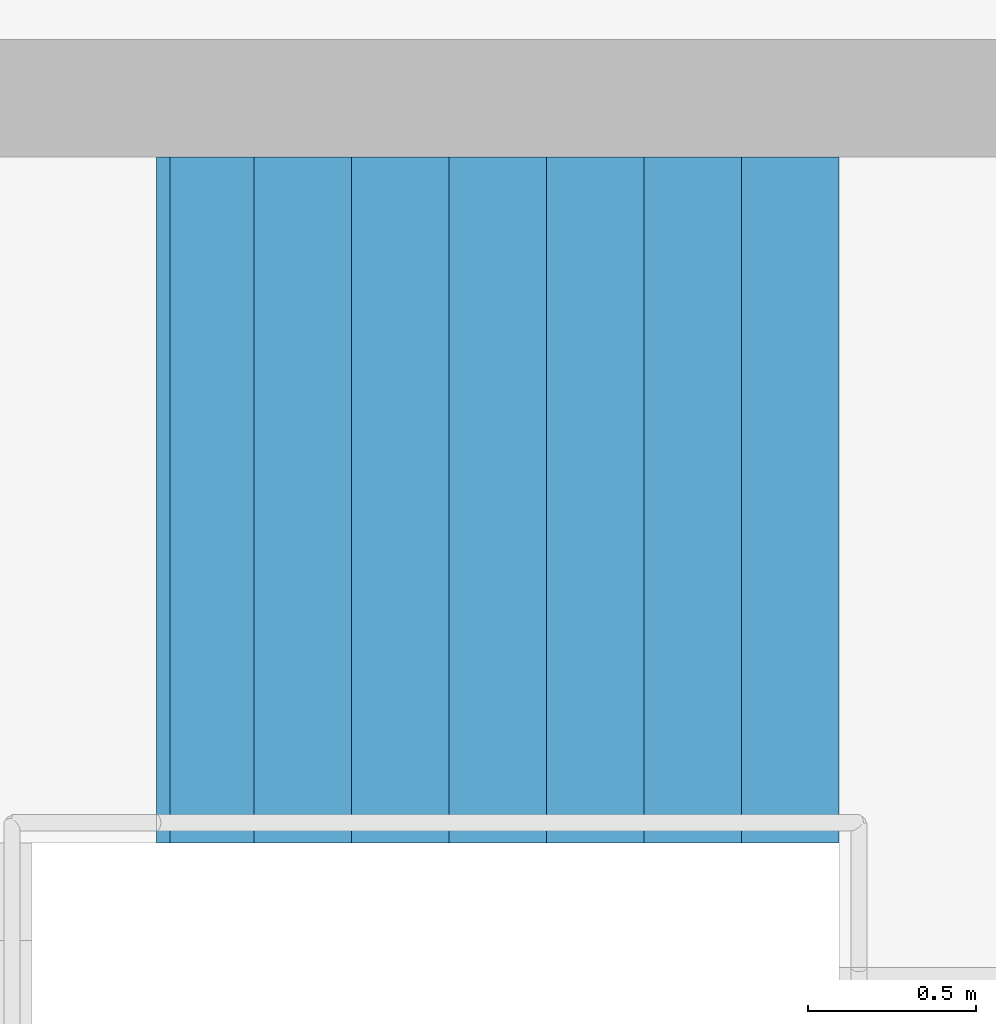
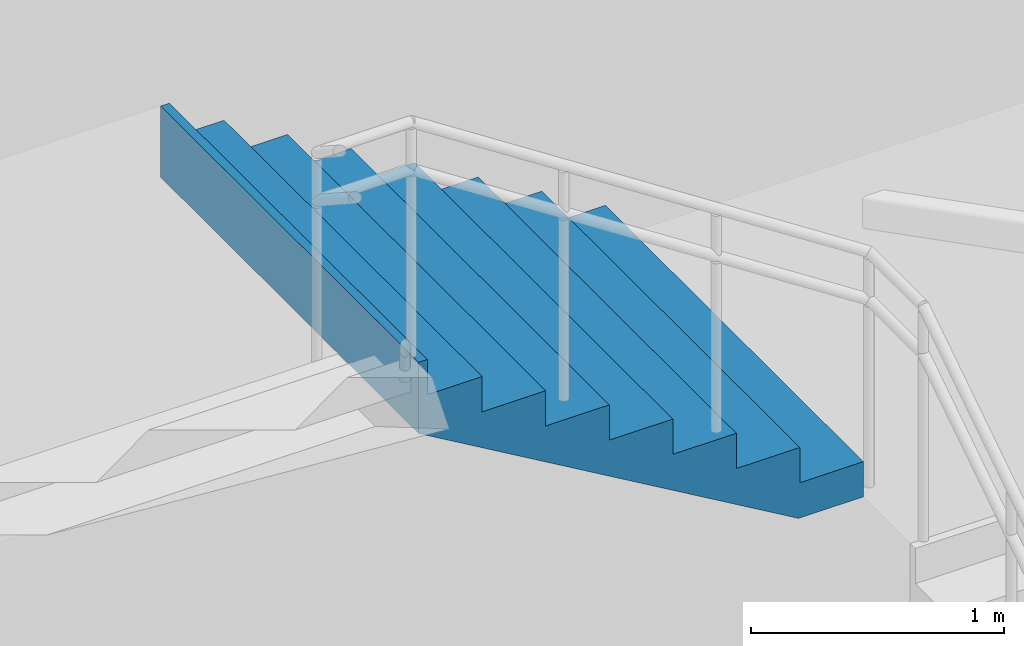
# One storey, part 52 of 72: 1 stair flight, 1 element without a shape of its own.
"""IFC4 building model written with IfcOpenShell, lengths in metres."""

from ifc_helpers import new_model, si_unit, direction, frame, origin, place, context, subcontext, project, spatial, triangles, material, type_object, element, aggregate, save


model = new_model("IFC4")

# Units and contexts
model_context = context("Model", 3, precision=1e-05, world=origin(), true_north=direction((0.0, 1.0)))
body_context = subcontext(model_context, "Body", "Model", "MODEL_VIEW")
ifc_project = project(units=[si_unit("LENGTHUNIT", "METRE"), si_unit("AREAUNIT", "SQUARE_METRE"), si_unit("VOLUMEUNIT", "CUBIC_METRE"), si_unit("PLANEANGLEUNIT", "RADIAN"), si_unit("MASSUNIT", "GRAM", prefix="KILO")], contexts=[model_context])

# Site, building, storey
site_placement = place(None, origin())
site = spatial("IfcSite", under=ifc_project, at=site_placement, CompositionType="ELEMENT")
building_placement = place(site_placement, origin())
building = spatial("IfcBuilding", under=site, at=building_placement, Name="Sillaruma Civic Art Gallery", CompositionType="ELEMENT")
storey_placement = place(building_placement, frame((0.0, 0.0, 10.8798828125)))
storey = spatial("IfcBuildingStorey", under=building, at=storey_placement, Name="L02", CompositionType="ELEMENT", Elevation=10.8798828125)

# Stair, stair flight
ifc_material = material(Name="Concrete H35 (35 MPa)", Category="concrete")
stair_type = type_object("IfcStairType", Name="STR-4F-32", PredefinedType="USERDEFINED", material=ifc_material)
stair_placement = place(storey_placement, origin())
stair = element("IfcStair", 1, at=stair_placement, inside=storey, type_object=stair_type, Name="Protected Exit Stair ST-03 (West Bar South) (L02)", ObjectType="THREE_RETURN_STAIR", PredefinedType="USERDEFINED")
stair_flight_type = type_object("IfcStairFlightType", Name="SFL-STR-8", PredefinedType="STRAIGHT", material=ifc_material)
stair_flight_placement = place(storey_placement, frame((67.199951171875, 36.8701171875, 2.72021484375), z_axis=(0.0, 0.0, 1.0), x_axis=(-1.0, 0.0, 0.0)))
stair_flight = element("IfcStairFlight", 2, at=stair_flight_placement, type_object=stair_flight_type, Name="ST-03 flight 3", NumberOfRisers=8, NumberOfTreads=7, PredefinedType="STRAIGHT", RiserHeight=0.17, TreadLength=0.29, context=body_context, shape_type="Tessellation", body=[
    triangles([(0.0, -1.02001953125, 0.0), (0.29, -1.02001953125, 0.0), (0.296443, -1.02001953125, 0.0), (0.58, -1.02001953125, 0.166223), (0.87, -1.02001953125, 0.336223), (1.16, -1.02001953125, 0.506223), (1.45, -1.02001953125, 0.676223), (1.74, -1.02001953125, 0.846223), (1.990029, -1.02001953125, 0.992792), (2.030029, -1.02001953125, 1.01624), (2.030029, -1.02001953125, 1.36), (1.990029, -1.02001953125, 1.36), (1.990029, -1.02001953125, 1.19), (1.74, -1.02001953125, 1.19), (1.74, -1.02001953125, 1.02), (1.45, -1.02001953125, 1.02), (1.45, -1.02001953125, 0.85), (1.16, -1.02001953125, 0.85), (1.16, -1.02001953125, 0.68), (0.87, -1.02001953125, 0.68), (0.87, -1.02001953125, 0.51), (0.58, -1.02001953125, 0.51), (0.58, -1.02001953125, 0.34), (0.296443, -1.02001953125, 0.34), (0.29, -1.02001953125, 0.34), (0.29, -1.02001953125, 0.17), (0.0, -1.02001953125, 0.17), (0.0, -0.05, 0.0), (0.29, -0.05, 0.0), (0.296443, -0.05, 0.0), (0.58, -0.05, 0.166223), (0.87, -0.05, 0.336223), (1.16, -0.05, 0.506223), (1.45, -0.05, 0.676223), (1.74, -0.05, 0.846223), (1.990029, -0.05, 0.992792), (2.030029, -0.05, 1.01624), (2.030029, -0.05, 1.36), (1.990029, -0.05, 1.36), (1.990029, -0.05, 1.19), (1.74, -0.05, 1.19), (1.74, -0.05, 1.02), (1.45, -0.05, 1.02), (1.45, -0.05, 0.85), (1.16, -0.05, 0.85), (1.16, -0.05, 0.68), (0.87, -0.05, 0.68), (0.87, -0.05, 0.51), (0.58, -0.05, 0.51), (0.58, -0.05, 0.34), (0.296443, -0.05, 0.34), (0.29, -0.05, 0.34), (0.29, -0.05, 0.17), (0.0, -0.05, 0.17), (0.0, -0.0375, 0.0), (0.29, -0.0375, 0.0), (0.296443, -0.0375, 0.0), (0.58, -0.0375, 0.166223), (0.87, -0.0375, 0.336223), (1.16, -0.0375, 0.506223), (1.45, -0.0375, 0.676223), (1.74, -0.0375, 0.846223), (1.990029, -0.0375, 0.992792), (2.030029, -0.0375, 1.01624), (2.030029, -0.0375, 1.36), (1.990029, -0.0375, 1.36), (1.990029, -0.0375, 1.19), (1.74, -0.0375, 1.19), (1.74, -0.0375, 1.02), (1.45, -0.0375, 1.02), (1.45, -0.0375, 0.85), (1.16, -0.0375, 0.85), (1.16, -0.0375, 0.68), (0.87, -0.0375, 0.68), (0.87, -0.0375, 0.51), (0.58, -0.0375, 0.51), (0.58, -0.0375, 0.34), (0.296443, -0.0375, 0.34), (0.29, -0.0375, 0.34), (0.29, -0.0375, 0.17), (0.0, -0.0375, 0.17), (0.0, -0.025, 0.0), (0.29, -0.025, 0.0), (0.296443, -0.025, 0.0), (0.58, -0.025, 0.166223), (0.87, -0.025, 0.336223), (1.16, -0.025, 0.506223), (1.45, -0.025, 0.676223), (1.74, -0.025, 0.846223), (1.990029, -0.025, 0.992792), (2.030029, -0.025, 1.01624), (2.030029, -0.025, 1.36), (1.990029, -0.025, 1.36), (1.990029, -0.025, 1.19), (1.74, -0.025, 1.19), (1.74, -0.025, 1.02), (1.45, -0.025, 1.02), (1.45, -0.025, 0.85), (1.16, -0.025, 0.85), (1.16, -0.025, 0.68), (0.87, -0.025, 0.68), (0.87, -0.025, 0.51), (0.58, -0.025, 0.51), (0.58, -0.025, 0.34), (0.296443, -0.025, 0.34), (0.29, -0.025, 0.34), (0.29, -0.025, 0.17), (0.0, -0.025, 0.17), (0.0, -0.0125, 0.0), (0.29, -0.0125, 0.0), (0.296443, -0.0125, 0.0), (0.58, -0.0125, 0.166223), (0.87, -0.0125, 0.336223), (1.16, -0.0125, 0.506223), (1.45, -0.0125, 0.676223), (1.74, -0.0125, 0.846223), (1.990029, -0.0125, 0.992792), (2.030029, -0.0125, 1.01624), (2.030029, -0.0125, 1.36), (1.990029, -0.0125, 1.36), (1.990029, -0.0125, 1.19), (1.74, -0.0125, 1.19), (1.74, -0.0125, 1.02), (1.45, -0.0125, 1.02), (1.45, -0.0125, 0.85), (1.16, -0.0125, 0.85), (1.16, -0.0125, 0.68), (0.87, -0.0125, 0.68), (0.87, -0.0125, 0.51), (0.58, -0.0125, 0.51), (0.58, -0.0125, 0.34), (0.296443, -0.0125, 0.34), (0.29, -0.0125, 0.34), (0.29, -0.0125, 0.17), (0.0, -0.0125, 0.17), (0.0, 0.0, 0.0), (0.29, 0.0, 0.0), (0.296443, 0.0, 0.0), (0.58, 0.0, 0.166223), (0.87, 0.0, 0.336223), (1.16, 0.0, 0.506223), (1.45, 0.0, 0.676223), (1.74, 0.0, 0.846223), (1.990029, 0.0, 0.992792), (2.030029, 0.0, 1.01624), (2.030029, 0.0, 1.36), (1.990029, 0.0, 1.36), (1.990029, 0.0, 1.19), (1.74, 0.0, 1.19), (1.74, 0.0, 1.02), (1.45, 0.0, 1.02), (1.45, 0.0, 0.85), (1.16, 0.0, 0.85), (1.16, 0.0, 0.68), (0.87, 0.0, 0.68), (0.87, 0.0, 0.51), (0.58, 0.0, 0.51), (0.58, 0.0, 0.34), (0.296443, 0.0, 0.34), (0.29, 0.0, 0.34), (0.29, 0.0, 0.17), (0.0, 0.0, 0.17), (0.0, 0.0125, 0.0), (0.29, 0.0125, 0.0), (0.296443, 0.0125, 0.0), (0.58, 0.0125, 0.166223), (0.87, 0.0125, 0.336223), (1.16, 0.0125, 0.506223), (1.45, 0.0125, 0.676223), (1.74, 0.0125, 0.846223), (1.990029, 0.0125, 0.992792), (2.030029, 0.0125, 1.01624), (2.030029, 0.0125, 1.36), (1.990029, 0.0125, 1.36), (1.990029, 0.0125, 1.19), (1.74, 0.0125, 1.19), (1.74, 0.0125, 1.02), (1.45, 0.0125, 1.02), (1.45, 0.0125, 0.85), (1.16, 0.0125, 0.85), (1.16, 0.0125, 0.68), (0.87, 0.0125, 0.68), (0.87, 0.0125, 0.51), (0.58, 0.0125, 0.51), (0.58, 0.0125, 0.34), (0.296443, 0.0125, 0.34), (0.29, 0.0125, 0.34), (0.29, 0.0125, 0.17), (0.0, 0.0125, 0.17), (0.0, 0.025, 0.0), (0.29, 0.025, 0.0), (0.296443, 0.025, 0.0), (0.58, 0.025, 0.166223), (0.87, 0.025, 0.336223), (1.16, 0.025, 0.506223), (1.45, 0.025, 0.676223), (1.74, 0.025, 0.846223), (1.990029, 0.025, 0.992792), (2.030029, 0.025, 1.01624), (2.030029, 0.025, 1.36), (1.990029, 0.025, 1.36), (1.990029, 0.025, 1.19), (1.74, 0.025, 1.19), (1.74, 0.025, 1.02), (1.45, 0.025, 1.02), (1.45, 0.025, 0.85), (1.16, 0.025, 0.85), (1.16, 0.025, 0.68), (0.87, 0.025, 0.68), (0.87, 0.025, 0.51), (0.58, 0.025, 0.51), (0.58, 0.025, 0.34), (0.296443, 0.025, 0.34), (0.29, 0.025, 0.34), (0.29, 0.025, 0.17), (0.0, 0.025, 0.17), (0.0, 0.0375, 0.0), (0.29, 0.0375, 0.0), (0.296443, 0.0375, 0.0), (0.58, 0.0375, 0.166223), (0.87, 0.0375, 0.336223), (1.16, 0.0375, 0.506223), (1.45, 0.0375, 0.676223), (1.74, 0.0375, 0.846223), (1.990029, 0.0375, 0.992792), (2.030029, 0.0375, 1.01624), (2.030029, 0.0375, 1.36), (1.990029, 0.0375, 1.36), (1.990029, 0.0375, 1.19), (1.74, 0.0375, 1.19), (1.74, 0.0375, 1.02), (1.45, 0.0375, 1.02), (1.45, 0.0375, 0.85), (1.16, 0.0375, 0.85), (1.16, 0.0375, 0.68), (0.87, 0.0375, 0.68), (0.87, 0.0375, 0.51), (0.58, 0.0375, 0.51), (0.58, 0.0375, 0.34), (0.296443, 0.0375, 0.34), (0.29, 0.0375, 0.34), (0.29, 0.0375, 0.17), (0.0, 0.0375, 0.17), (0.0, 0.05, 0.0), (0.29, 0.05, 0.0), (0.296443, 0.05, 0.0), (0.58, 0.05, 0.166223), (0.87, 0.05, 0.336223), (1.16, 0.05, 0.506223), (1.45, 0.05, 0.676223), (1.74, 0.05, 0.846223), (1.990029, 0.05, 0.992792), (2.030029, 0.05, 1.01624), (2.030029, 0.05, 1.36), (1.990029, 0.05, 1.36), (1.990029, 0.05, 1.19), (1.74, 0.05, 1.19), (1.74, 0.05, 1.02), (1.45, 0.05, 1.02), (1.45, 0.05, 0.85), (1.16, 0.05, 0.85), (1.16, 0.05, 0.68), (0.87, 0.05, 0.68), (0.87, 0.05, 0.51), (0.58, 0.05, 0.51), (0.58, 0.05, 0.34), (0.296443, 0.05, 0.34), (0.29, 0.05, 0.34), (0.29, 0.05, 0.17), (0.0, 0.05, 0.17), (0.0, 1.02001953125, 0.0), (0.29, 1.02001953125, 0.0), (0.296443, 1.02001953125, 0.0), (0.58, 1.02001953125, 0.166223), (0.87, 1.02001953125, 0.336223), (1.16, 1.02001953125, 0.506223), (1.45, 1.02001953125, 0.676223), (1.74, 1.02001953125, 0.846223), (1.990029, 1.02001953125, 0.992792), (2.030029, 1.02001953125, 1.01624), (2.030029, 1.02001953125, 1.36), (1.990029, 1.02001953125, 1.36), (1.990029, 1.02001953125, 1.19), (1.74, 1.02001953125, 1.19), (1.74, 1.02001953125, 1.02), (1.45, 1.02001953125, 1.02), (1.45, 1.02001953125, 0.85), (1.16, 1.02001953125, 0.85), (1.16, 1.02001953125, 0.68), (0.87, 1.02001953125, 0.68), (0.87, 1.02001953125, 0.51), (0.58, 1.02001953125, 0.51), (0.58, 1.02001953125, 0.34), (0.296443, 1.02001953125, 0.34), (0.29, 1.02001953125, 0.34), (0.29, 1.02001953125, 0.17), (0.0, 1.02001953125, 0.17)], [[1, 2, 26], [1, 26, 27], [2, 3, 24], [2, 24, 26], [26, 24, 25], [3, 4, 23], [3, 23, 24], [4, 5, 21], [4, 21, 23], [23, 21, 22], [5, 6, 19], [5, 19, 21], [21, 19, 20], [6, 7, 17], [6, 17, 19], [19, 17, 18], [7, 8, 15], [7, 15, 17], [17, 15, 16], [8, 9, 13], [8, 13, 15], [15, 13, 14], [9, 10, 11], [9, 11, 13], [13, 11, 12], [296, 272, 271], [297, 296, 271], [294, 273, 272], [296, 294, 272], [295, 294, 296], [293, 274, 273], [294, 293, 273], [291, 275, 274], [293, 291, 274], [292, 291, 293], [289, 276, 275], [291, 289, 275], [290, 289, 291], [287, 277, 276], [289, 287, 276], [288, 287, 289], [285, 278, 277], [287, 285, 277], [286, 285, 287], [283, 279, 278], [285, 283, 278], [284, 283, 285], [281, 280, 279], [283, 281, 279], [282, 281, 283], [2, 1, 28], [2, 28, 29], [3, 2, 29], [3, 29, 30], [4, 3, 30], [4, 30, 31], [5, 4, 31], [5, 31, 32], [6, 5, 32], [6, 32, 33], [7, 6, 33], [7, 33, 34], [8, 7, 34], [8, 34, 35], [9, 8, 35], [9, 35, 36], [10, 9, 36], [10, 36, 37], [11, 10, 37], [11, 37, 38], [12, 11, 38], [12, 38, 39], [13, 12, 39], [13, 39, 40], [14, 13, 40], [14, 40, 41], [15, 14, 41], [15, 41, 42], [16, 15, 42], [16, 42, 43], [17, 16, 43], [17, 43, 44], [18, 17, 44], [18, 44, 45], [19, 18, 45], [19, 45, 46], [20, 19, 46], [20, 46, 47], [21, 20, 47], [21, 47, 48], [22, 21, 48], [22, 48, 49], [23, 22, 49], [23, 49, 50], [24, 23, 50], [24, 50, 51], [25, 24, 51], [25, 51, 52], [26, 25, 52], [26, 52, 53], [27, 26, 53], [27, 53, 54], [1, 27, 54], [1, 54, 28], [29, 28, 55], [29, 55, 56], [30, 29, 56], [30, 56, 57], [31, 30, 57], [31, 57, 58], [32, 31, 58], [32, 58, 59], [33, 32, 59], [33, 59, 60], [34, 33, 60], [34, 60, 61], [35, 34, 61], [35, 61, 62], [36, 35, 62], [36, 62, 63], [37, 36, 63], [37, 63, 64], [38, 37, 64], [38, 64, 65], [39, 38, 65], [39, 65, 66], [40, 39, 66], [40, 66, 67], [41, 40, 67], [41, 67, 68], [42, 41, 68], [42, 68, 69], [43, 42, 69], [43, 69, 70], [44, 43, 70], [44, 70, 71], [45, 44, 71], [45, 71, 72], [46, 45, 72], [46, 72, 73], [47, 46, 73], [47, 73, 74], [48, 47, 74], [48, 74, 75], [49, 48, 75], [49, 75, 76], [50, 49, 76], [50, 76, 77], [51, 50, 77], [51, 77, 78], [52, 51, 78], [52, 78, 79], [53, 52, 79], [53, 79, 80], [54, 53, 80], [54, 80, 81], [28, 54, 81], [28, 81, 55], [56, 55, 82], [56, 82, 83], [57, 56, 83], [57, 83, 84], [58, 57, 84], [58, 84, 85], [59, 58, 85], [59, 85, 86], [60, 59, 86], [60, 86, 87], [61, 60, 87], [61, 87, 88], [62, 61, 88], [62, 88, 89], [63, 62, 89], [63, 89, 90], [64, 63, 90], [64, 90, 91], [65, 64, 91], [65, 91, 92], [66, 65, 92], [66, 92, 93], [67, 66, 93], [67, 93, 94], [68, 67, 94], [68, 94, 95], [69, 68, 95], [69, 95, 96], [70, 69, 96], [70, 96, 97], [71, 70, 97], [71, 97, 98], [72, 71, 98], [72, 98, 99], [73, 72, 99], [73, 99, 100], [74, 73, 100], [74, 100, 101], [75, 74, 101], [75, 101, 102], [76, 75, 102], [76, 102, 103], [77, 76, 103], [77, 103, 104], [78, 77, 104], [78, 104, 105], [79, 78, 105], [79, 105, 106], [80, 79, 106], [80, 106, 107], [81, 80, 107], [81, 107, 108], [55, 81, 108], [55, 108, 82], [83, 82, 109], [83, 109, 110], [84, 83, 110], [84, 110, 111], [85, 84, 111], [85, 111, 112], [86, 85, 112], [86, 112, 113], [87, 86, 113], [87, 113, 114], [88, 87, 114], [88, 114, 115], [89, 88, 115], [89, 115, 116], [90, 89, 116], [90, 116, 117], [91, 90, 117], [91, 117, 118], [92, 91, 118], [92, 118, 119], [93, 92, 119], [93, 119, 120], [94, 93, 120], [94, 120, 121], [95, 94, 121], [95, 121, 122], [96, 95, 122], [96, 122, 123], [97, 96, 123], [97, 123, 124], [98, 97, 124], [98, 124, 125], [99, 98, 125], [99, 125, 126], [100, 99, 126], [100, 126, 127], [101, 100, 127], [101, 127, 128], [102, 101, 128], [102, 128, 129], [103, 102, 129], [103, 129, 130], [104, 103, 130], [104, 130, 131], [105, 104, 131], [105, 131, 132], [106, 105, 132], [106, 132, 133], [107, 106, 133], [107, 133, 134], [108, 107, 134], [108, 134, 135], [82, 108, 135], [82, 135, 109], [110, 109, 136], [110, 136, 137], [111, 110, 137], [111, 137, 138], [112, 111, 138], [112, 138, 139], [113, 112, 139], [113, 139, 140], [114, 113, 140], [114, 140, 141], [115, 114, 141], [115, 141, 142], [116, 115, 142], [116, 142, 143], [117, 116, 143], [117, 143, 144], [118, 117, 144], [118, 144, 145], [119, 118, 145], [119, 145, 146], [120, 119, 146], [120, 146, 147], [121, 120, 147], [121, 147, 148], [122, 121, 148], [122, 148, 149], [123, 122, 149], [123, 149, 150], [124, 123, 150], [124, 150, 151], [125, 124, 151], [125, 151, 152], [126, 125, 152], [126, 152, 153], [127, 126, 153], [127, 153, 154], [128, 127, 154], [128, 154, 155], [129, 128, 155], [129, 155, 156], [130, 129, 156], [130, 156, 157], [131, 130, 157], [131, 157, 158], [132, 131, 158], [132, 158, 159], [133, 132, 159], [133, 159, 160], [134, 133, 160], [134, 160, 161], [135, 134, 161], [135, 161, 162], [109, 135, 162], [109, 162, 136], [137, 136, 163], [137, 163, 164], [138, 137, 164], [138, 164, 165], [139, 138, 165], [139, 165, 166], [140, 139, 166], [140, 166, 167], [141, 140, 167], [141, 167, 168], [142, 141, 168], [142, 168, 169], [143, 142, 169], [143, 169, 170], [144, 143, 170], [144, 170, 171], [145, 144, 171], [145, 171, 172], [146, 145, 172], [146, 172, 173], [147, 146, 173], [147, 173, 174], [148, 147, 174], [148, 174, 175], [149, 148, 175], [149, 175, 176], [150, 149, 176], [150, 176, 177], [151, 150, 177], [151, 177, 178], [152, 151, 178], [152, 178, 179], [153, 152, 179], [153, 179, 180], [154, 153, 180], [154, 180, 181], [155, 154, 181], [155, 181, 182], [156, 155, 182], [156, 182, 183], [157, 156, 183], [157, 183, 184], [158, 157, 184], [158, 184, 185], [159, 158, 185], [159, 185, 186], [160, 159, 186], [160, 186, 187], [161, 160, 187], [161, 187, 188], [162, 161, 188], [162, 188, 189], [136, 162, 189], [136, 189, 163], [164, 163, 190], [164, 190, 191], [165, 164, 191], [165, 191, 192], [166, 165, 192], [166, 192, 193], [167, 166, 193], [167, 193, 194], [168, 167, 194], [168, 194, 195], [169, 168, 195], [169, 195, 196], [170, 169, 196], [170, 196, 197], [171, 170, 197], [171, 197, 198], [172, 171, 198], [172, 198, 199], [173, 172, 199], [173, 199, 200], [174, 173, 200], [174, 200, 201], [175, 174, 201], [175, 201, 202], [176, 175, 202], [176, 202, 203], [177, 176, 203], [177, 203, 204], [178, 177, 204], [178, 204, 205], [179, 178, 205], [179, 205, 206], [180, 179, 206], [180, 206, 207], [181, 180, 207], [181, 207, 208], [182, 181, 208], [182, 208, 209], [183, 182, 209], [183, 209, 210], [184, 183, 210], [184, 210, 211], [185, 184, 211], [185, 211, 212], [186, 185, 212], [186, 212, 213], [187, 186, 213], [187, 213, 214], [188, 187, 214], [188, 214, 215], [189, 188, 215], [189, 215, 216], [163, 189, 216], [163, 216, 190], [191, 190, 217], [191, 217, 218], [192, 191, 218], [192, 218, 219], [193, 192, 219], [193, 219, 220], [194, 193, 220], [194, 220, 221], [195, 194, 221], [195, 221, 222], [196, 195, 222], [196, 222, 223], [197, 196, 223], [197, 223, 224], [198, 197, 224], [198, 224, 225], [199, 198, 225], [199, 225, 226], [200, 199, 226], [200, 226, 227], [201, 200, 227], [201, 227, 228], [202, 201, 228], [202, 228, 229], [203, 202, 229], [203, 229, 230], [204, 203, 230], [204, 230, 231], [205, 204, 231], [205, 231, 232], [206, 205, 232], [206, 232, 233], [207, 206, 233], [207, 233, 234], [208, 207, 234], [208, 234, 235], [209, 208, 235], [209, 235, 236], [210, 209, 236], [210, 236, 237], [211, 210, 237], [211, 237, 238], [212, 211, 238], [212, 238, 239], [213, 212, 239], [213, 239, 240], [214, 213, 240], [214, 240, 241], [215, 214, 241], [215, 241, 242], [216, 215, 242], [216, 242, 243], [190, 216, 243], [190, 243, 217], [218, 217, 244], [218, 244, 245], [219, 218, 245], [219, 245, 246], [220, 219, 246], [220, 246, 247], [221, 220, 247], [221, 247, 248], [222, 221, 248], [222, 248, 249], [223, 222, 249], [223, 249, 250], [224, 223, 250], [224, 250, 251], [225, 224, 251], [225, 251, 252], [226, 225, 252], [226, 252, 253], [227, 226, 253], [227, 253, 254], [228, 227, 254], [228, 254, 255], [229, 228, 255], [229, 255, 256], [230, 229, 256], [230, 256, 257], [231, 230, 257], [231, 257, 258], [232, 231, 258], [232, 258, 259], [233, 232, 259], [233, 259, 260], [234, 233, 260], [234, 260, 261], [235, 234, 261], [235, 261, 262], [236, 235, 262], [236, 262, 263], [237, 236, 263], [237, 263, 264], [238, 237, 264], [238, 264, 265], [239, 238, 265], [239, 265, 266], [240, 239, 266], [240, 266, 267], [241, 240, 267], [241, 267, 268], [242, 241, 268], [242, 268, 269], [243, 242, 269], [243, 269, 270], [217, 243, 270], [217, 270, 244], [245, 244, 271], [245, 271, 272], [246, 245, 272], [246, 272, 273], [247, 246, 273], [247, 273, 274], [248, 247, 274], [248, 274, 275], [249, 248, 275], [249, 275, 276], [250, 249, 276], [250, 276, 277], [251, 250, 277], [251, 277, 278], [252, 251, 278], [252, 278, 279], [253, 252, 279], [253, 279, 280], [254, 253, 280], [254, 280, 281], [255, 254, 281], [255, 281, 282], [256, 255, 282], [256, 282, 283], [257, 256, 283], [257, 283, 284], [258, 257, 284], [258, 284, 285], [259, 258, 285], [259, 285, 286], [260, 259, 286], [260, 286, 287], [261, 260, 287], [261, 287, 288], [262, 261, 288], [262, 288, 289], [263, 262, 289], [263, 289, 290], [264, 263, 290], [264, 290, 291], [265, 264, 291], [265, 291, 292], [266, 265, 292], [266, 292, 293], [267, 266, 293], [267, 293, 294], [268, 267, 294], [268, 294, 295], [269, 268, 295], [269, 295, 296], [270, 269, 296], [270, 296, 297], [244, 270, 297], [244, 297, 271]], closed=True),
])
aggregate(stair, [stair_flight])

save(model, "model.ifc")
